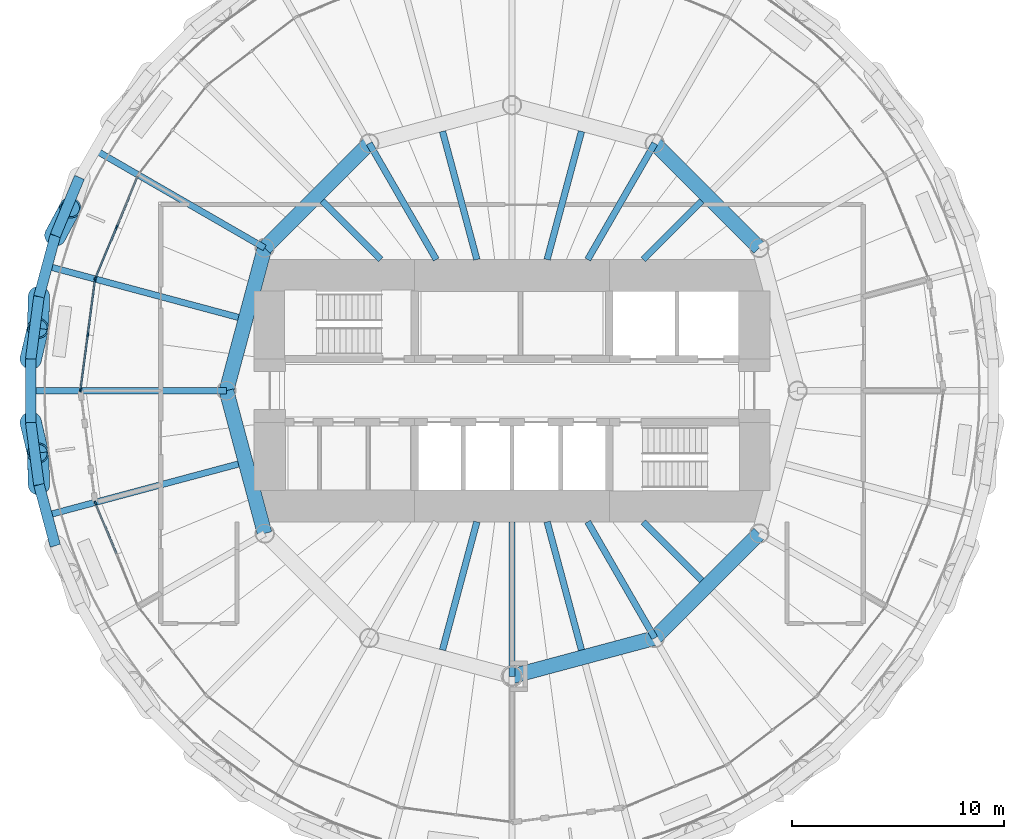
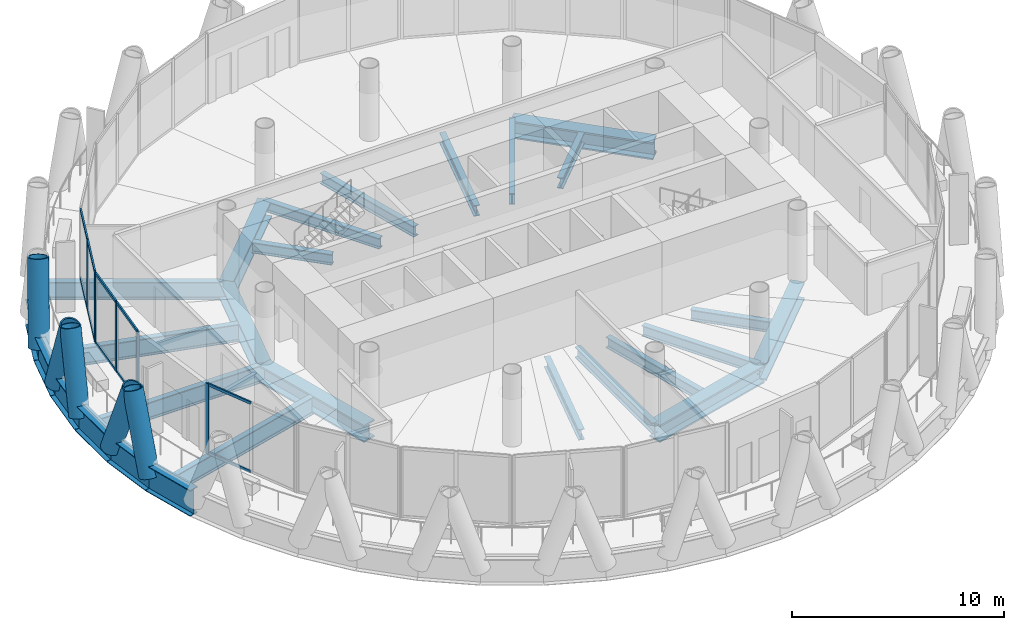
# One storey, part 3 of 14: 27 beams, 21 members, 3 elements without a shape of their own.
"""IFC4 building model written with IfcOpenShell, lengths in metres."""

import ifcopenshell
import ifcopenshell.guid

model = None  # the IFC model being written
_history = None  # IfcOwnerHistory: only IFC2X3 demands one
_inside = {}  # id of a spatial element -> (the spatial element, [elements in it])
_under = {}  # id of a project, library or spatial element -> (it, [spatial elements below it])
_declared = {}  # id of a project -> (the project, [libraries it declares])
_typed = {}  # id of a type object -> (the type object, [elements of that type])
_made_of = {}  # id of a material, layer set ... -> (it, [elements and type objects made of it])


def new_model(schema):
    """Start an empty IFC model of exactly this schema.

    Asked for "IFC4X3", IfcOpenShell would pick the latest addendum, in which some entities
    have other attributes; the version numbers below select the first issue.
    IFC2X3 requires an IfcOwnerHistory on every rooted entity: one is made here for all.
    """
    global model, _history
    if schema == "IFC4X3":
        model = ifcopenshell.file(schema_version=(4, 3, 0, 0))
    else:
        model = ifcopenshell.file(schema=schema)
    _inside.clear()
    _under.clear()
    _declared.clear()
    _typed.clear()
    _made_of.clear()
    _history = None
    if model.schema == "IFC2X3":
        org = make("IfcOrganization", Name="unknown")
        user = make(
            "IfcPersonAndOrganization",
            ThePerson=make("IfcPerson", FamilyName="unknown"),
            TheOrganization=org,
        )
        app = make(
            "IfcApplication",
            ApplicationDeveloper=org,
            Version="unknown",
            ApplicationFullName="unknown",
            ApplicationIdentifier="unknown",
        )
        _history = make(
            "IfcOwnerHistory",
            OwningUser=user,
            OwningApplication=app,
            ChangeAction="ADDED",
            CreationDate=0,
        )
    return model


def make(cls, **values):
    """One entity of the class cls with the attributes given. An attribute that is None is left unset."""
    return model.create_entity(
        cls, **{name: value for name, value in values.items() if value is not None}
    )


def rooted(cls, **values):
    """An entity with a GlobalId (a new one), such as an element, a storey or a relation."""
    return make(cls, GlobalId=ifcopenshell.guid.new(), OwnerHistory=_history, **values)


def si_unit(unit_type, name, prefix=None):
    """IfcSIUnit, for example si_unit("LENGTHUNIT", "METRE", prefix="MILLI")."""
    return make("IfcSIUnit", UnitType=unit_type, Prefix=prefix, Name=name)


def assignment(units):
    """IfcUnitAssignment: the units of a project."""
    return None if units is None else make("IfcUnitAssignment", Units=units)


def point(xyz):
    """IfcCartesianPoint."""
    return None if xyz is None else make("IfcCartesianPoint", Coordinates=xyz)


def direction(xyz):
    """IfcDirection."""
    return None if xyz is None else make("IfcDirection", DirectionRatios=xyz)


def frame(location, z_axis=None, x_axis=None):
    """IfcAxis2Placement3D, a coordinate frame: its origin and axes. An axis left out is left unset."""
    return make(
        "IfcAxis2Placement3D",
        Location=point(location),
        Axis=direction(z_axis),
        RefDirection=direction(x_axis),
    )


def frame_2d(location, x_axis=None):
    """IfcAxis2Placement2D, a coordinate frame in the plane: its origin and x axis."""
    return make(
        "IfcAxis2Placement2D", Location=point(location), RefDirection=direction(x_axis)
    )


def origin():
    """The frame at (0, 0, 0) with its axes left unset."""
    return frame((0.0, 0.0, 0.0))


def origin_2d():
    """The frame at (0, 0) in the plane with its x axis left unset."""
    return frame_2d((0.0, 0.0))


def place(relative_to, where):
    """IfcLocalPlacement: puts the frame where relative to a parent placement (None: the world)."""
    return make(
        "IfcLocalPlacement", PlacementRelTo=relative_to, RelativePlacement=where
    )


def context(
    kind, dimensions, precision=None, world=None, true_north=None, identifier=None
):
    """IfcGeometricRepresentationContext, for example the 3D "Model" context."""
    return make(
        "IfcGeometricRepresentationContext",
        ContextIdentifier=identifier,
        ContextType=kind,
        CoordinateSpaceDimension=dimensions,
        Precision=precision,
        WorldCoordinateSystem=world,
        TrueNorth=true_north,
    )


def subcontext(parent, identifier, kind, view, scale=None):
    """IfcGeometricRepresentationSubContext, for example "Body" below "Model"."""
    return make(
        "IfcGeometricRepresentationSubContext",
        ContextIdentifier=identifier,
        ContextType=kind,
        ParentContext=parent,
        TargetScale=scale,
        TargetView=view,
    )


def project(units=None, contexts=None):
    """IfcProject with its units and contexts."""
    return rooted(
        "IfcProject",
        Name="project",
        RepresentationContexts=contexts,
        UnitsInContext=assignment(units),
    )


def spatial(cls, under=None, at=None, **own):
    """A site, building, storey or space (cls), placed at a placement, below another one or the project."""
    s = rooted(cls, ObjectPlacement=at, **own)
    if under is not None:
        _under.setdefault(under.id(), (under, []))[1].append(s)
    return s


def profile(cls, at=None, kind="AREA", **sizes):
    """A parametric profile (cls). Its sizes go by their IFC names, for example OverallWidth=200.0."""
    return make(cls, ProfileType=kind, Position=at, **sizes)


def rectangle(**sizes):
    """IfcRectangleProfileDef."""
    return profile("IfcRectangleProfileDef", **sizes)


def hollow_circle(**sizes):
    """IfcCircleHollowProfileDef."""
    return profile("IfcCircleHollowProfileDef", **sizes)


def i_section(**sizes):
    """IfcIShapeProfileDef."""
    return profile("IfcIShapeProfileDef", **sizes)


def extrude(swept, where, along, depth):
    """IfcExtrudedAreaSolid: the profile swept, set in the frame where, extruded along a direction by depth."""
    return make(
        "IfcExtrudedAreaSolid",
        SweptArea=swept,
        Position=where,
        ExtrudedDirection=direction(along),
        Depth=depth,
    )


def shape(context_of_items, identifier, shape_type, items):
    """IfcShapeRepresentation: the items that make up one representation, for example the "Body"."""
    return make(
        "IfcShapeRepresentation",
        ContextOfItems=context_of_items,
        RepresentationIdentifier=identifier,
        RepresentationType=shape_type,
        Items=items,
    )


def material(Name=None, Category=None):
    """IfcMaterial."""
    return make("IfcMaterial", Name=Name, Category=Category)


def material_profile(
    of_material, cross_section, Name=None, Category=None, Priority=None
):
    """IfcMaterialProfile: a cross section and its material."""
    return make(
        "IfcMaterialProfile",
        Name=Name,
        Material=of_material,
        Profile=cross_section,
        Priority=Priority,
        Category=Category,
    )


def profile_set(profiles, Name=None, composite=None):
    """IfcMaterialProfileSet."""
    return make(
        "IfcMaterialProfileSet",
        Name=Name,
        MaterialProfiles=profiles,
        CompositeProfile=composite,
    )


def made_of(thing, what):
    """Note that an element or type object is made of a material, layer set ...; save() writes the relation."""
    if what is not None:
        _made_of.setdefault(what.id(), (what, []))[1].append(thing)
    return thing


def type_object(cls, material=None, **own):
    """A type object (cls), such as IfcWallType, which elements share."""
    return made_of(rooted(cls, **own), material)


def element(
    cls,
    number,
    at=None,
    inside=None,
    cuts=None,
    type_object=None,
    material=None,
    context=None,
    identifier="Body",
    shape_type=None,
    held_by="IfcProductDefinitionShape",
    body=None,
    shapes=None,
    **own,
):
    """One element of the class cls, such as IfcWall. Its Tag is "e" and its number.

    at: its placement. inside: the storey or other place that contains it. cuts: it is an
    opening in that element (IfcRelVoidsElement). A single representation is given by context,
    identifier, shape_type and body (its items); several are given by shapes. held_by: the class
    of the entity that holds the representations. save() writes the other relations.
    """
    e = rooted(cls, Tag="e%d" % number, ObjectPlacement=at, **own)
    if body is not None:
        shapes = [shape(context, identifier, shape_type, body)]
    if shapes is not None:
        e.Representation = make(held_by, Representations=shapes)
    if inside is not None:
        _inside.setdefault(inside.id(), (inside, []))[1].append(e)
    if cuts is not None:
        rooted(
            "IfcRelVoidsElement", RelatingBuildingElement=cuts, RelatedOpeningElement=e
        )
    if type_object is not None:
        _typed.setdefault(type_object.id(), (type_object, []))[1].append(e)
    return made_of(e, material)


def aggregate(whole, parts):
    """IfcRelAggregates: a whole, such as a stair, and the parts it consists of."""
    return rooted("IfcRelAggregates", RelatingObject=whole, RelatedObjects=parts)


def save(model, path):
    """Write the relations noted so far, then the file.

    IfcRelAggregates (storeys below a building ...), IfcRelContainedInSpatialStructure (elements
    in a storey), IfcRelDefinesByType, IfcRelAssociatesMaterial and IfcRelDeclares: one each for
    every whole, place, type object, material and project.
    """
    for whole, parts in _under.values():
        aggregate(whole, parts)
    for where, things in _inside.values():
        rooted(
            "IfcRelContainedInSpatialStructure",
            RelatedElements=things,
            RelatingStructure=where,
        )
    for kind, things in _typed.values():
        rooted("IfcRelDefinesByType", RelatedObjects=things, RelatingType=kind)
    for what, things in _made_of.values():
        rooted("IfcRelAssociatesMaterial", RelatedObjects=things, RelatingMaterial=what)
    for by, libraries in _declared.values():
        rooted("IfcRelDeclares", RelatingContext=by, RelatedDefinitions=libraries)
    model.write(path)


model = new_model("IFC4")

# Units and contexts
model_context = context("Model", 3, precision=1e-05, world=origin(), true_north=direction((0.0, 1.0)))
body_context = subcontext(model_context, "Body", "Model", "MODEL_VIEW")
ifc_project = project(units=[si_unit("LENGTHUNIT", "METRE"), si_unit("AREAUNIT", "SQUARE_METRE"), si_unit("VOLUMEUNIT", "CUBIC_METRE"), si_unit("PLANEANGLEUNIT", "RADIAN"), si_unit("MASSUNIT", "GRAM", prefix="KILO")], contexts=[model_context])

# Site, building, storey
site_placement = place(None, origin())
site = spatial("IfcSite", under=ifc_project, at=site_placement, CompositionType="ELEMENT")
building_placement = place(site_placement, origin())
building = spatial("IfcBuilding", under=site, at=building_placement, Name="Qaws Media Tower", CompositionType="ELEMENT")
storey_placement = place(building_placement, frame((0.0, 0.0, 215.0)))
storey = spatial("IfcBuildingStorey", under=building, at=storey_placement, Name="L49", CompositionType="ELEMENT", Elevation=215.0)

# Curtain wall, members
ifc_material_1 = material(Name="Aluminium and clear glass", Category="aluminium")
curtain_wall_type = type_object("IfcCurtainWallType", Name="Unitised curtain wall CW-C", PredefinedType="NOTDEFINED", material=ifc_material_1)
curtain_wall_1_placement = place(storey_placement, origin())
curtain_wall_1 = element("IfcCurtainWall", 1, at=curtain_wall_1_placement, inside=storey, type_object=curtain_wall_type, Name="CWC curtain wall L49-11", PredefinedType="NOTDEFINED")
ifc_material_2 = material(Name="Aluminium mullion", Category="aluminium")
ifc_material_profile_1 = material_profile(ifc_material_2, rectangle(XDim=0.080078125, YDim=0.199951171875, at=origin_2d()), Name="80x200")
ifc_profile_set_1 = profile_set([ifc_material_profile_1], Name="Aluminium mullion")
member_type_1 = type_object("IfcMemberType", Name="Curtain wall mullion 80x200", PredefinedType="MULLION", material=ifc_profile_set_1)
member_1_placement = place(storey_placement, frame((41.314208984375, 57.739990234375, 0.0), z_axis=(0.0, 0.0, 1.0), x_axis=(0.923879494026, -0.382683525276, 0.0)))
member_1 = element("IfcMember", 2, at=member_1_placement, type_object=member_type_1, Name="CWC mullion 2", PredefinedType="MULLION", context=body_context, shape_type="SweptSolid", body=[
    extrude(rectangle(XDim=0.080078125, YDim=0.199951171875, at=origin_2d()), origin(), (0.0, 0.0, 1.0), 4.0400390625),
])
member_2_placement = place(storey_placement, frame((40.310302734375, 55.31689453125, 0.0), z_axis=(0.0, 0.0, 1.0), x_axis=(0.923879494026, -0.382683525276, 0.0)))
member_2 = element("IfcMember", 3, at=member_2_placement, type_object=member_type_1, Name="CWC mullion 3", PredefinedType="MULLION", context=body_context, shape_type="SweptSolid", body=[
    extrude(rectangle(XDim=0.080078125, YDim=0.199951171875, at=origin_2d()), origin(), (0.0, 0.0, 1.0), 4.0400390625),
])

curtain_wall_2_placement = place(storey_placement, origin())
curtain_wall_2 = element("IfcCurtainWall", 4, at=curtain_wall_2_placement, inside=storey, type_object=curtain_wall_type, Name="CWC curtain wall L49-12", PredefinedType="NOTDEFINED")
member_3_placement = place(storey_placement, frame((40.289794921875, 55.240234375, 0.0), z_axis=(0.0, 0.0, 1.0), x_axis=(0.991444866402, -0.13052615403, 0.0)))
member_3 = element("IfcMember", 5, at=member_3_placement, type_object=member_type_1, Name="CWC mullion 1", PredefinedType="MULLION", context=body_context, shape_type="SweptSolid", body=[
    extrude(rectangle(XDim=0.080078125, YDim=0.199951171875, at=origin_2d()), origin(), (0.0, 0.0, 1.0), 4.0400390625),
])
member_4_placement = place(storey_placement, frame((39.947509765625, 52.639892578125, 0.0), z_axis=(0.0, 0.0, 1.0), x_axis=(0.991444866402, -0.13052615403, 0.0)))
member_4 = element("IfcMember", 6, at=member_4_placement, type_object=member_type_1, Name="CWC mullion 2", PredefinedType="MULLION", context=body_context, shape_type="SweptSolid", body=[
    extrude(rectangle(XDim=0.080078125, YDim=0.199951171875, at=origin_2d()), origin(), (0.0, 0.0, 1.0), 4.0400390625),
])
member_5_placement = place(storey_placement, frame((39.605224609375, 50.03955078125, 0.0), z_axis=(0.0, 0.0, 1.0), x_axis=(0.991444866402, -0.13052615403, 0.0)))
member_5 = element("IfcMember", 7, at=member_5_placement, type_object=member_type_1, Name="CWC mullion 3", PredefinedType="MULLION", context=body_context, shape_type="SweptSolid", body=[
    extrude(rectangle(XDim=0.080078125, YDim=0.199951171875, at=origin_2d()), origin(), (0.0, 0.0, 1.0), 4.0400390625),
])

# Curtain wall, member
curtain_wall_3_placement = place(storey_placement, origin())
curtain_wall_3 = element("IfcCurtainWall", 8, at=curtain_wall_3_placement, inside=storey, type_object=curtain_wall_type, Name="CWC curtain wall L49-14", PredefinedType="NOTDEFINED")
member_6_placement = place(storey_placement, frame((40.310302734375, 44.68310546875, 0.0), z_axis=(0.0, 0.0, 1.0), x_axis=(0.923879494026, 0.382683525276, 0.0)))
member_6 = element("IfcMember", 9, at=member_6_placement, type_object=member_type_1, Name="CWC mullion 1", PredefinedType="MULLION", context=body_context, shape_type="SweptSolid", body=[
    extrude(rectangle(XDim=0.080078125, YDim=0.199951171875, at=origin_2d()), origin(), (0.0, 0.0, 1.0), 4.0400390625),
])

# Member
ifc_material_3 = material(Name="Aluminium transom", Category="aluminium")
ifc_material_profile_2 = material_profile(ifc_material_3, rectangle(XDim=0.080078125, YDim=0.159912109375, at=origin_2d()), Name="80x160")
ifc_profile_set_2 = profile_set([ifc_material_profile_2], Name="Aluminium transom")
member_type_2 = type_object("IfcMemberType", Name="Curtain wall transom 80x160", PredefinedType="USERDEFINED", material=ifc_profile_set_2)
member_7_placement = place(storey_placement, frame((42.302490234375, 60.1259765625, 0.0400390625), z_axis=(-0.382719254697, -0.923864693602, 0.0), x_axis=(0.923864693602, -0.382719254697, 0.0)))
member_7 = element("IfcMember", 10, at=member_7_placement, type_object=member_type_2, Name="CWC transom 1.1", ObjectType="TRANSOM", PredefinedType="USERDEFINED", context=body_context, shape_type="SweptSolid", body=[
    extrude(rectangle(XDim=0.080078125, YDim=0.159912109375, at=origin_2d()), origin(), (0.0, 0.0, 1.0), 2.542724609375),
])

member_8_placement = place(storey_placement, frame((42.302490234375, 60.1259765625, 4.0), z_axis=(-0.382719254697, -0.923864693602, 0.0), x_axis=(0.923864693602, -0.382719254697, 0.0)))
member_8 = element("IfcMember", 11, at=member_8_placement, type_object=member_type_2, Name="CWC transom 1.2", ObjectType="TRANSOM", PredefinedType="USERDEFINED", context=body_context, shape_type="SweptSolid", body=[
    extrude(rectangle(XDim=0.080078125, YDim=0.159912109375, at=origin_2d()), origin(), (0.0, 0.0, 1.0), 2.542724609375),
])

member_9_placement = place(storey_placement, frame((41.298828125, 57.702880859375, 0.0400390625), z_axis=(-0.382719254697, -0.923864693602, 0.0), x_axis=(0.923864693602, -0.382719254697, 0.0)))
member_9 = element("IfcMember", 12, at=member_9_placement, type_object=member_type_2, Name="CWC transom 2.1", ObjectType="TRANSOM", PredefinedType="USERDEFINED", context=body_context, shape_type="SweptSolid", body=[
    extrude(rectangle(XDim=0.080078125, YDim=0.159912109375, at=origin_2d()), origin(), (0.0, 0.0, 1.0), 2.542724609375),
])

member_10_placement = place(storey_placement, frame((41.298828125, 57.702880859375, 4.0), z_axis=(-0.382719254697, -0.923864693602, 0.0), x_axis=(0.923864693602, -0.382719254697, 0.0)))
member_10 = element("IfcMember", 13, at=member_10_placement, type_object=member_type_2, Name="CWC transom 2.2", ObjectType="TRANSOM", PredefinedType="USERDEFINED", context=body_context, shape_type="SweptSolid", body=[
    extrude(rectangle(XDim=0.080078125, YDim=0.159912109375, at=origin_2d()), origin(), (0.0, 0.0, 1.0), 2.542724609375),
])

aggregate(curtain_wall_1, [member_1, member_2, member_7, member_8, member_9, member_10])

member_11_placement = place(storey_placement, frame((40.28466796875, 55.20068359375, 0.0400390625), z_axis=(-0.130484317017, -0.991450373449, 0.0), x_axis=(0.991450373449, -0.130484317017, 0.0)))
member_11 = element("IfcMember", 14, at=member_11_placement, type_object=member_type_2, Name="CWC transom 1.1", ObjectType="TRANSOM", PredefinedType="USERDEFINED", context=body_context, shape_type="SweptSolid", body=[
    extrude(rectangle(XDim=0.080078125, YDim=0.159912109375, at=origin_2d()), origin(), (0.0, 0.0, 1.0), 2.542724609375),
])

member_12_placement = place(storey_placement, frame((40.28466796875, 55.20068359375, 4.0), z_axis=(-0.130484317017, -0.991450373449, 0.0), x_axis=(0.991450373449, -0.130484317017, 0.0)))
member_12 = element("IfcMember", 15, at=member_12_placement, type_object=member_type_2, Name="CWC transom 1.2", ObjectType="TRANSOM", PredefinedType="USERDEFINED", context=body_context, shape_type="SweptSolid", body=[
    extrude(rectangle(XDim=0.080078125, YDim=0.159912109375, at=origin_2d()), origin(), (0.0, 0.0, 1.0), 2.542724609375),
])

member_13_placement = place(storey_placement, frame((39.9423828125, 52.600341796875, 0.0400390625), z_axis=(-0.130578695427, -0.991437947781, 0.0), x_axis=(0.991437947781, -0.130578695427, 0.0)))
member_13 = element("IfcMember", 16, at=member_13_placement, type_object=member_type_2, Name="CWC transom 2.1", ObjectType="TRANSOM", PredefinedType="USERDEFINED", context=body_context, shape_type="SweptSolid", body=[
    extrude(rectangle(XDim=0.080078125, YDim=0.159912109375, at=origin_2d()), origin(), (0.0, 0.0, 1.0), 2.542724609375),
])

member_14_placement = place(storey_placement, frame((39.9423828125, 52.600341796875, 4.0), z_axis=(-0.130578695427, -0.991437947781, 0.0), x_axis=(0.991437947781, -0.130578695427, 0.0)))
member_14 = element("IfcMember", 17, at=member_14_placement, type_object=member_type_2, Name="CWC transom 2.2", ObjectType="TRANSOM", PredefinedType="USERDEFINED", context=body_context, shape_type="SweptSolid", body=[
    extrude(rectangle(XDim=0.080078125, YDim=0.159912109375, at=origin_2d()), origin(), (0.0, 0.0, 1.0), 2.542724609375),
])

aggregate(curtain_wall_2, [member_3, member_4, member_5, member_11, member_12, member_13, member_14])

member_15_placement = place(storey_placement, frame((40.32568359375, 44.646240234375, 0.0400390625), z_axis=(0.382719254697, -0.923864693602, 0.0), x_axis=(0.923864693602, 0.382719254697, 0.0)))
member_15 = element("IfcMember", 18, at=member_15_placement, type_object=member_type_2, Name="CWC transom 1.1", ObjectType="TRANSOM", PredefinedType="USERDEFINED", context=body_context, shape_type="SweptSolid", body=[
    extrude(rectangle(XDim=0.080078125, YDim=0.159912109375, at=origin_2d()), origin(), (0.0, 0.0, 1.0), 2.542724609375),
])

member_16_placement = place(storey_placement, frame((40.32568359375, 44.646240234375, 4.0), z_axis=(0.382719254697, -0.923864693602, 0.0), x_axis=(0.923864693602, 0.382719254697, 0.0)))
member_16 = element("IfcMember", 19, at=member_16_placement, type_object=member_type_2, Name="CWC transom 1.2", ObjectType="TRANSOM", PredefinedType="USERDEFINED", context=body_context, shape_type="SweptSolid", body=[
    extrude(rectangle(XDim=0.080078125, YDim=0.159912109375, at=origin_2d()), origin(), (0.0, 0.0, 1.0), 2.542724609375),
])

aggregate(curtain_wall_3, [member_6, member_15, member_16])

# Members
ifc_material_4 = material(Name="Steel S460", Category="steel")
ifc_material_profile_3 = material_profile(ifc_material_4, hollow_circle(Radius=0.508056640625, WallThickness=0.070068359375, at=origin_2d()), Name="CHS 1016x70")
ifc_profile_set_3 = profile_set([ifc_material_profile_3], Name="Steel S460")
member_type_3 = type_object("IfcMemberType", Name="Diagrid member CHS 1016x70", PredefinedType="USERDEFINED", material=ifc_profile_set_3)
member_17_placement = place(storey_placement, frame((37.63818359375, 54.447998046875, -0.909912109375), z_axis=(-0.010073650119, -0.335934332226, 0.941831538018), x_axis=(0.999550694045, -0.02997348887, 0.0)))
element("IfcMember", 20, at=member_17_placement, inside=storey, type_object=member_type_3, Name="DG3 diagrid L49 A12", ObjectType="DIAGRID", PredefinedType="USERDEFINED", context=body_context, shape_type="SweptSolid", body=[
    extrude(hollow_circle(Radius=0.508056640625, WallThickness=0.070068359375, at=origin_2d()), origin(), (0.0, 0.0, 1.0), 4.459228515625),
])
for number, where, z_axis, x_axis, name in (
    (21, (38.409912109375, 57.328857421875, -0.909912109375), (0.159314917038, 0.295964412888, 0.941819421924), (-0.880533853634, 0.473983261945, 0.0), "DG3 diagrid L49 B12"),
    (22, (37.248779296875, 48.5087890625, -0.909912109375), (0.077248734093, -0.327116361591, 0.941821383841), (0.973231000079, 0.229829111483, 0.0), "DG3 diagrid L49 A13"),
    (23, (37.248779296875, 51.4912109375, -0.909912109375), (0.077248734093, 0.327116361591, 0.941821383841), (-0.973231000079, 0.229829111483, 0.0), "DG3 diagrid L49 B13"),
):
    element("IfcMember", number, at=place(storey_placement, frame(where, z_axis=z_axis, x_axis=x_axis)), inside=storey, type_object=member_type_3, Name=name, ObjectType="DIAGRID", PredefinedType="USERDEFINED", context=body_context, shape_type="SweptSolid", body=[
        extrude(hollow_circle(Radius=0.508056640625, WallThickness=0.070068359375, at=origin_2d()), origin(), (0.0, 0.0, 1.0), 4.45947265625),
    ])
member_18_placement = place(storey_placement, frame((37.63818359375, 45.552001953125, -0.909912109375), z_axis=(-0.010073650119, 0.335934332226, 0.941831538018), x_axis=(-0.999550694045, -0.02997348887, 0.0)))
element("IfcMember", 24, at=member_18_placement, inside=storey, type_object=member_type_3, Name="DG3 diagrid L49 B14", ObjectType="DIAGRID", PredefinedType="USERDEFINED", context=body_context, shape_type="SweptSolid", body=[
    extrude(hollow_circle(Radius=0.508056640625, WallThickness=0.070068359375, at=origin_2d()), origin(), (0.0, 0.0, 1.0), 4.459228515625),
])

# Beams
ifc_material_5 = material(Name="Steel S460", Category="steel")
ifc_material_profile_4 = material_profile(ifc_material_5, i_section(OverallWidth=0.5, OverallDepth=1.5, WebThickness=0.02001953125, FlangeThickness=0.0400390625, at=origin_2d()), Name="PG 1500x500")
ifc_profile_set_4 = profile_set([ifc_material_profile_4], Name="Steel S460")
beam_type_1 = type_object("IfcBeamType", Name="Edge ring beam PG 1500x500", PredefinedType="BEAM", material=ifc_profile_set_4)
for number, where, z_axis, x_axis, name in (
    (25, (39.55126953125, 60.084228515625, -0.909912109375), (-0.382696410016, -0.923874156886, 0.0), (0.923874156886, -0.382696410016, 0.0), "RB4 edge ring beam L49-21"),
    (26, (38.409912109375, 57.328857421875, -0.909912109375), (-0.258757907866, -0.965942205889, 0.0), (0.965942205889, -0.258757907866, 0.0), "RB4 edge ring beam L49-22"),
    (27, (37.63818359375, 54.447998046875, -0.909912109375), (-0.130570980704, -0.991438963829, 0.0), (0.991438963829, -0.130570980704, 0.0), "RB4 edge ring beam L49-23"),
    (28, (37.248779296875, 51.4912109375, -0.909912109375), (0.0, -1.0, 0.0), (1.0, 0.0, 0.0), "RB4 edge ring beam L49-24"),
    (29, (37.248779296875, 48.5087890625, -0.909912109375), (0.130570980704, -0.991438963829, 0.0), (0.991438963829, 0.130570980704, 0.0), "RB4 edge ring beam L49-25"),
    (30, (37.63818359375, 45.552001953125, -0.909912109375), (0.258757907866, -0.965942205889, 0.0), (0.965942205889, 0.258757907866, 0.0), "RB4 edge ring beam L49-26"),
):
    element("IfcBeam", number, at=place(storey_placement, frame(where, z_axis=z_axis, x_axis=x_axis)), inside=storey, type_object=beam_type_1, Name=name, PredefinedType="BEAM", context=body_context, shape_type="SweptSolid", body=[
        extrude(i_section(OverallWidth=0.5, OverallDepth=1.5, WebThickness=0.02001953125, FlangeThickness=0.0400390625, at=origin_2d()), origin(), (0.0, 0.0, 1.0), 2.982421875),
    ])
ifc_material_6 = material(Name="Steel S460", Category="steel")
ifc_material_profile_5 = material_profile(ifc_material_6, i_section(OverallWidth=0.699951171875, OverallDepth=1.0, WebThickness=0.034912109375, FlangeThickness=0.090087890625, at=origin_2d()), Name="PG 1000x700")
ifc_profile_set_5 = profile_set([ifc_material_profile_5], Name="Steel S460")
beam_type_2 = type_object("IfcBeamType", Name="Inner ring girder PG 1000x700", PredefinedType="BEAM", material=ifc_profile_set_5)
for number, where, z_axis, x_axis, name in (
    (31, (71.69140625, 56.75, -0.659912109375), (-0.707106781187, 0.707106781187, 0.0), (-0.707106781187, -0.707106781187, 0.0), "B3 inner ring beam L49 I02-I03"),
    (32, (53.25, 61.69140625, -0.659912109375), (-0.707106781187, -0.707106781187, 0.0), (0.707106781187, -0.707106781187, 0.0), "B3 inner ring beam L49 I05-I06"),
):
    element("IfcBeam", number, at=place(storey_placement, frame(where, z_axis=z_axis, x_axis=x_axis)), inside=storey, type_object=beam_type_2, Name=name, PredefinedType="BEAM", context=body_context, shape_type="SweptSolid", body=[
        extrude(i_section(OverallWidth=0.699951171875, OverallDepth=1.0, WebThickness=0.034912109375, FlangeThickness=0.090087890625, at=origin_2d()), origin(), (0.0, 0.0, 1.0), 6.98828125),
    ])
for number, where, z_axis, x_axis, name in (
    (33, (48.30859375, 56.75, -0.659912109375), (-0.258810593767, -0.965928090778, 0.0), (0.965928090778, -0.258810593767, 0.0), "B3 inner ring beam L49 I06-I07"),
    (34, (46.5, 50.0, -0.659912109375), (0.258810593767, -0.965928090778, 0.0), (0.965928090778, 0.258810593767, 0.0), "B3 inner ring beam L49 I07-I08"),
    (35, (60.0, 36.5, -0.659912109375), (0.965928090778, 0.258810593767, 0.0), (-0.258810593767, 0.965928090778, 0.0), "B3 inner ring beam L49 I10-I11"),
):
    element("IfcBeam", number, at=place(storey_placement, frame(where, z_axis=z_axis, x_axis=x_axis)), inside=storey, type_object=beam_type_2, Name=name, PredefinedType="BEAM", context=body_context, shape_type="SweptSolid", body=[
        extrude(i_section(OverallWidth=0.699951171875, OverallDepth=1.0, WebThickness=0.034912109375, FlangeThickness=0.090087890625, at=origin_2d()), origin(), (0.0, 0.0, 1.0), 6.988037109375),
    ])
beam_1_placement = place(storey_placement, frame((66.75, 38.30859375, -0.659912109375), z_axis=(0.707106781187, 0.707106781187, 0.0), x_axis=(-0.707106781187, 0.707106781187, 0.0)))
element("IfcBeam", 36, at=beam_1_placement, inside=storey, type_object=beam_type_2, Name="B3 inner ring beam L49 I11-I12", PredefinedType="BEAM", context=body_context, shape_type="SweptSolid", body=[
    extrude(i_section(OverallWidth=0.699951171875, OverallDepth=1.0, WebThickness=0.034912109375, FlangeThickness=0.090087890625, at=origin_2d()), origin(), (0.0, 0.0, 1.0), 6.98828125),
])
ifc_material_7 = material(Name="Steel S355", Category="steel")
ifc_material_profile_6 = material_profile(ifc_material_7, i_section(OverallWidth=0.302001953125, OverallDepth=1.008056640625, WebThickness=0.02099609375, FlangeThickness=0.0400390625, FilletRadius=0.030029296875, at=origin_2d()), Name="HE 1000 M")
ifc_profile_set_6 = profile_set([ifc_material_profile_6], Name="Steel S355")
beam_type_3 = type_object("IfcBeamType", Name="Radial beam HE 1000 M", PredefinedType="BEAM", material=ifc_profile_set_6)
beam_2_placement = place(storey_placement, frame((48.30859375, 56.75, -0.6640625), z_axis=(-0.86602913405, 0.499993538935, 0.0), x_axis=(-0.499993538935, -0.86602913405, 0.0)))
element("IfcBeam", 37, at=beam_2_placement, inside=storey, type_object=beam_type_3, Name="B1 radial beam L49 11", PredefinedType="BEAM", context=body_context, shape_type="SweptSolid", body=[
    extrude(i_section(OverallWidth=0.302001953125, OverallDepth=1.008056640625, WebThickness=0.02099609375, FlangeThickness=0.0400390625, FilletRadius=0.030029296875, at=origin_2d()), origin(), (0.0, 0.0, 1.0), 9.2509765625),
])
beam_3_placement = place(storey_placement, frame((47.066162109375, 53.465576171875, -0.6640625), z_axis=(-0.965926049534, 0.258818211939, 0.0), x_axis=(-0.258818211939, -0.965926049534, 0.0)))
element("IfcBeam", 38, at=beam_3_placement, inside=storey, type_object=beam_type_3, Name="B1 radial beam L49 12", PredefinedType="BEAM", context=body_context, shape_type="SweptSolid", body=[
    extrude(i_section(OverallWidth=0.302001953125, OverallDepth=1.008056640625, WebThickness=0.02099609375, FlangeThickness=0.0400390625, FilletRadius=0.030029296875, at=origin_2d()), origin(), (0.0, 0.0, 1.0), 9.361328125),
])
beam_4_placement = place(storey_placement, frame((46.5, 50.0, -0.6640625), z_axis=(-1.0, 0.0, 0.0), x_axis=(0.0, -1.0, 0.0)))
element("IfcBeam", 39, at=beam_4_placement, inside=storey, type_object=beam_type_3, Name="B1 radial beam L49 13", PredefinedType="BEAM", context=body_context, shape_type="SweptSolid", body=[
    extrude(i_section(OverallWidth=0.302001953125, OverallDepth=1.008056640625, WebThickness=0.02099609375, FlangeThickness=0.0400390625, FilletRadius=0.030029296875, at=origin_2d()), origin(), (0.0, 0.0, 1.0), 9.251220703125),
])
beam_5_placement = place(storey_placement, frame((47.066162109375, 46.534423828125, -0.6640625), z_axis=(-0.965926049534, -0.258818211939, 0.0), x_axis=(0.258818211939, -0.965926049534, 0.0)))
element("IfcBeam", 40, at=beam_5_placement, inside=storey, type_object=beam_type_3, Name="B1 radial beam L49 14", PredefinedType="BEAM", context=body_context, shape_type="SweptSolid", body=[
    extrude(i_section(OverallWidth=0.302001953125, OverallDepth=1.008056640625, WebThickness=0.02099609375, FlangeThickness=0.0400390625, FilletRadius=0.030029296875, at=origin_2d()), origin(), (0.0, 0.0, 1.0), 9.361328125),
])
ifc_material_8 = material(Name="Steel S355", Category="steel")
ifc_material_profile_7 = material_profile(ifc_material_8, i_section(OverallWidth=0.304931640625, OverallDepth=0.6201171875, WebThickness=0.02099609375, FlangeThickness=0.0400390625, FilletRadius=0.027099609375, at=origin_2d()), Name="HE 600 M")
ifc_profile_set_7 = profile_set([ifc_material_profile_7], Name="Steel S355")
beam_type_4 = type_object("IfcBeamType", Name="Radial beam HE 600 M, core side", PredefinedType="BEAM", material=ifc_profile_set_7)
beam_6_placement = place(storey_placement, frame((66.199951171875, 56.199951171875, -0.469970703125), z_axis=(0.707106781187, 0.707106781187, 0.0), x_axis=(-0.707106781187, 0.707106781187, 0.0)))
element("IfcBeam", 41, at=beam_6_placement, inside=storey, type_object=beam_type_4, Name="B2 radial beam L49 04", PredefinedType="BEAM", context=body_context, shape_type="SweptSolid", body=[
    extrude(i_section(OverallWidth=0.304931640625, OverallDepth=0.6201171875, WebThickness=0.02099609375, FlangeThickness=0.0400390625, FilletRadius=0.027099609375, at=origin_2d()), origin(), (0.0, 0.0, 1.0), 3.921875),
])
beam_7_placement = place(storey_placement, frame((63.57958984375, 56.199951171875, -0.469970703125), z_axis=(0.499990193304, 0.866031065609, 0.0), x_axis=(-0.866031065609, 0.499990193304, 0.0)))
element("IfcBeam", 42, at=beam_7_placement, inside=storey, type_object=beam_type_4, Name="B2 radial beam L49 05", PredefinedType="BEAM", context=body_context, shape_type="SweptSolid", body=[
    extrude(i_section(OverallWidth=0.304931640625, OverallDepth=0.6201171875, WebThickness=0.02099609375, FlangeThickness=0.0400390625, FilletRadius=0.027099609375, at=origin_2d()), origin(), (0.0, 0.0, 1.0), 6.341064453125),
])
for number, where, z_axis, x_axis, name in (
    (43, (61.661376953125, 56.199951171875, -0.469970703125), (0.258806137559, 0.965929284763, 0.0), (-0.965929284763, 0.258806137559, 0.0), "B2 radial beam L49 06"),
    (44, (58.338623046875, 56.199951171875, -0.469970703125), (-0.258806137559, 0.965929284763, 0.0), (-0.965929284763, -0.258806137559, 0.0), "B2 radial beam L49 08"),
):
    element("IfcBeam", number, at=place(storey_placement, frame(where, z_axis=z_axis, x_axis=x_axis)), inside=storey, type_object=beam_type_4, Name=name, PredefinedType="BEAM", context=body_context, shape_type="SweptSolid", body=[
        extrude(i_section(OverallWidth=0.304931640625, OverallDepth=0.6201171875, WebThickness=0.02099609375, FlangeThickness=0.0400390625, FilletRadius=0.027099609375, at=origin_2d()), origin(), (0.0, 0.0, 1.0), 6.271240234375),
    ])
beam_8_placement = place(storey_placement, frame((56.42041015625, 56.199951171875, -0.469970703125), z_axis=(-0.499990193304, 0.866031065609, 0.0), x_axis=(-0.866031065609, -0.499990193304, 0.0)))
element("IfcBeam", 45, at=beam_8_placement, inside=storey, type_object=beam_type_4, Name="B2 radial beam L49 09", PredefinedType="BEAM", context=body_context, shape_type="SweptSolid", body=[
    extrude(i_section(OverallWidth=0.304931640625, OverallDepth=0.6201171875, WebThickness=0.02099609375, FlangeThickness=0.0400390625, FilletRadius=0.027099609375, at=origin_2d()), origin(), (0.0, 0.0, 1.0), 6.341064453125),
])
beam_9_placement = place(storey_placement, frame((53.800048828125, 56.199951171875, -0.469970703125), z_axis=(-0.707106781187, 0.707106781187, 0.0), x_axis=(-0.707106781187, -0.707106781187, 0.0)))
element("IfcBeam", 46, at=beam_9_placement, inside=storey, type_object=beam_type_4, Name="B2 radial beam L49 10", PredefinedType="BEAM", context=body_context, shape_type="SweptSolid", body=[
    extrude(i_section(OverallWidth=0.304931640625, OverallDepth=0.6201171875, WebThickness=0.02099609375, FlangeThickness=0.0400390625, FilletRadius=0.027099609375, at=origin_2d()), origin(), (0.0, 0.0, 1.0), 3.921875),
])
beam_10_placement = place(storey_placement, frame((58.338623046875, 43.800048828125, -0.469970703125), z_axis=(-0.258806137559, -0.965929284763, 0.0), x_axis=(0.965929284763, -0.258806137559, 0.0)))
element("IfcBeam", 47, at=beam_10_placement, inside=storey, type_object=beam_type_4, Name="B2 radial beam L49 18", PredefinedType="BEAM", context=body_context, shape_type="SweptSolid", body=[
    extrude(i_section(OverallWidth=0.304931640625, OverallDepth=0.6201171875, WebThickness=0.02099609375, FlangeThickness=0.0400390625, FilletRadius=0.027099609375, at=origin_2d()), origin(), (0.0, 0.0, 1.0), 6.271240234375),
])
beam_11_placement = place(storey_placement, frame((60.0, 43.800048828125, -0.469970703125), z_axis=(0.0, -1.0, 0.0), x_axis=(1.0, 0.0, 0.0)))
element("IfcBeam", 48, at=beam_11_placement, inside=storey, type_object=beam_type_4, Name="B2 radial beam L49 19", PredefinedType="BEAM", context=body_context, shape_type="SweptSolid", body=[
    extrude(i_section(OverallWidth=0.304931640625, OverallDepth=0.6201171875, WebThickness=0.02099609375, FlangeThickness=0.0400390625, FilletRadius=0.027099609375, at=origin_2d()), origin(), (0.0, 0.0, 1.0), 7.300048828125),
])
beam_12_placement = place(storey_placement, frame((61.661376953125, 43.800048828125, -0.469970703125), z_axis=(0.258806137559, -0.965929284763, 0.0), x_axis=(0.965929284763, 0.258806137559, 0.0)))
element("IfcBeam", 49, at=beam_12_placement, inside=storey, type_object=beam_type_4, Name="B2 radial beam L49 20", PredefinedType="BEAM", context=body_context, shape_type="SweptSolid", body=[
    extrude(i_section(OverallWidth=0.304931640625, OverallDepth=0.6201171875, WebThickness=0.02099609375, FlangeThickness=0.0400390625, FilletRadius=0.027099609375, at=origin_2d()), origin(), (0.0, 0.0, 1.0), 6.271240234375),
])
beam_13_placement = place(storey_placement, frame((63.57958984375, 43.800048828125, -0.469970703125), z_axis=(0.499990193304, -0.866031065609, 0.0), x_axis=(0.866031065609, 0.499990193304, 0.0)))
element("IfcBeam", 50, at=beam_13_placement, inside=storey, type_object=beam_type_4, Name="B2 radial beam L49 21", PredefinedType="BEAM", context=body_context, shape_type="SweptSolid", body=[
    extrude(i_section(OverallWidth=0.304931640625, OverallDepth=0.6201171875, WebThickness=0.02099609375, FlangeThickness=0.0400390625, FilletRadius=0.027099609375, at=origin_2d()), origin(), (0.0, 0.0, 1.0), 6.341064453125),
])
beam_14_placement = place(storey_placement, frame((66.199951171875, 43.800048828125, -0.469970703125), z_axis=(0.707106781187, -0.707106781187, 0.0), x_axis=(0.707106781187, 0.707106781187, 0.0)))
element("IfcBeam", 51, at=beam_14_placement, inside=storey, type_object=beam_type_4, Name="B2 radial beam L49 22", PredefinedType="BEAM", context=body_context, shape_type="SweptSolid", body=[
    extrude(i_section(OverallWidth=0.304931640625, OverallDepth=0.6201171875, WebThickness=0.02099609375, FlangeThickness=0.0400390625, FilletRadius=0.027099609375, at=origin_2d()), origin(), (0.0, 0.0, 1.0), 3.921875),
])

save(model, "model.ifc")
